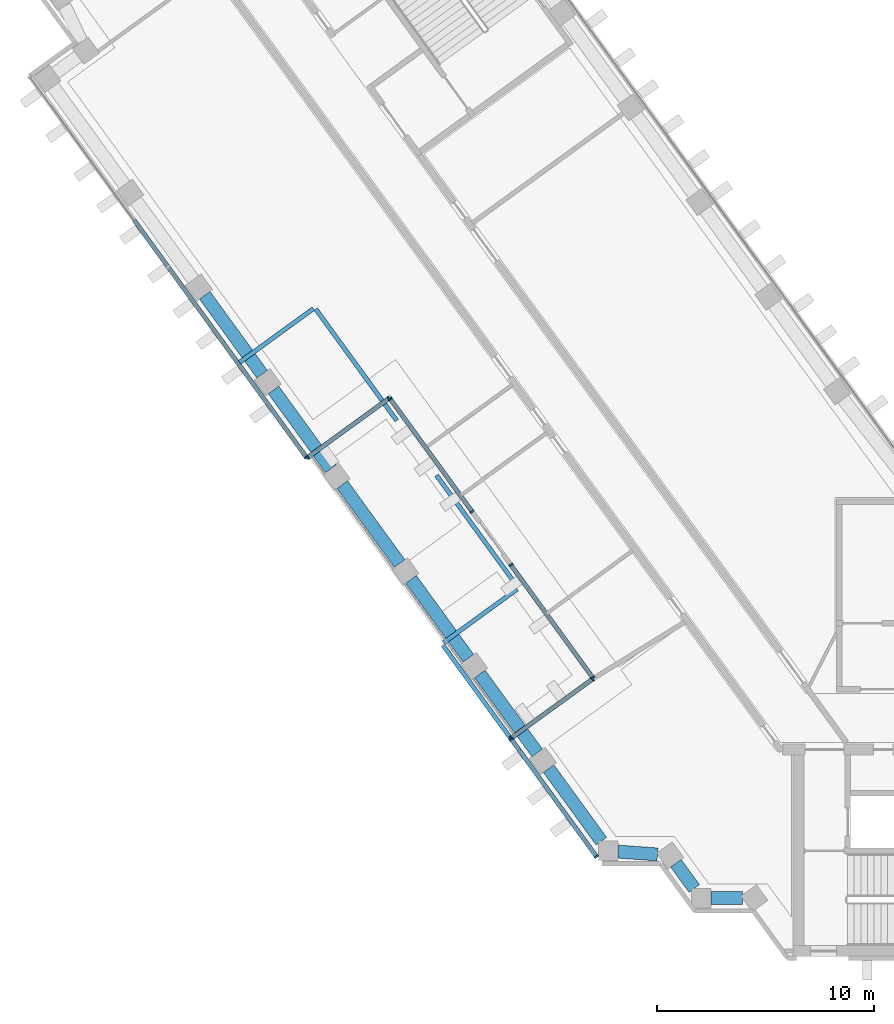
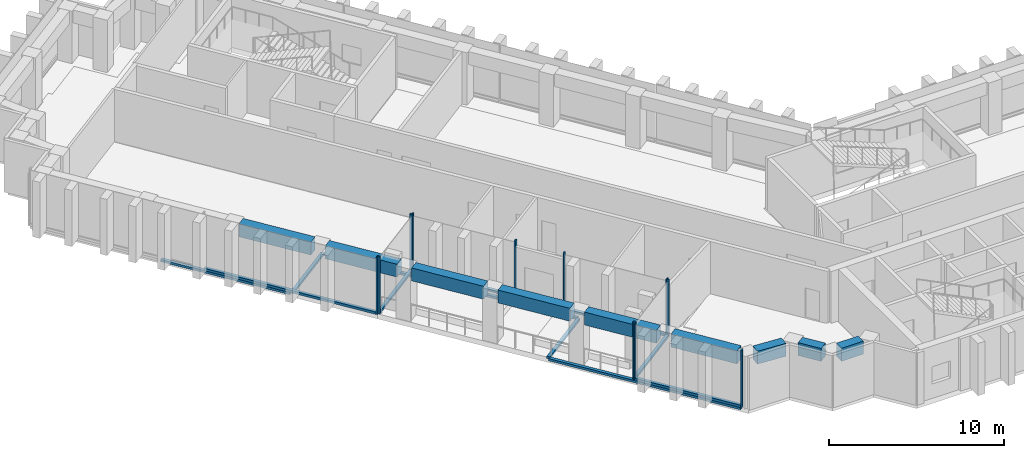
"""IFC4 building model written with IfcOpenShell, lengths in metres."""

from ifc_helpers import new_model, si_unit, direction, frame, origin, origin_2d, place, context, subcontext, project, spatial, rectangle, extrude, material, material_profile, profile_set, type_object, element, aggregate, save


model = new_model("IFC4")

# Units and contexts
model_context = context("Model", 3, precision=1e-05, world=origin(), true_north=direction((0.0, 1.0)))
body_context = subcontext(model_context, "Body", "Model", "MODEL_VIEW")
ifc_project = project(units=[si_unit("LENGTHUNIT", "METRE"), si_unit("AREAUNIT", "SQUARE_METRE"), si_unit("VOLUMEUNIT", "CUBIC_METRE"), si_unit("PLANEANGLEUNIT", "RADIAN"), si_unit("MASSUNIT", "GRAM", prefix="KILO")], contexts=[model_context])

# Site, building, storey
site_placement = place(None, origin())
site = spatial("IfcSite", under=ifc_project, at=site_placement, CompositionType="ELEMENT")
building_placement = place(site_placement, origin())
building = spatial("IfcBuilding", under=site, at=building_placement, Name="Quipu Civic Tower", CompositionType="ELEMENT")
storey_1_placement = place(building_placement, frame((0.0, 0.0, 55.0)))
storey_1 = spatial("IfcBuildingStorey", under=building, at=storey_1_placement, Name="L12", CompositionType="ELEMENT", Elevation=55.0)

# Curtain wall, member
ifc_material_1 = material(Name="Insulated glass unit", Category="glass")
curtain_wall_type = type_object("IfcCurtainWallType", Name="Office curtain wall CW1", PredefinedType="NOTDEFINED", material=ifc_material_1)
curtain_wall_1_placement = place(storey_1_placement, origin())
curtain_wall_1 = element("IfcCurtainWall", 1, at=curtain_wall_1_placement, inside=storey_1, type_object=curtain_wall_type, Name="Office curtain wall CW1 L12 run 1", PredefinedType="NOTDEFINED")
ifc_material_2 = material(Name="Anodised aluminium", Category="aluminium")
ifc_material_profile_1 = material_profile(ifc_material_2, rectangle(XDim=0.199951171875, YDim=0.080078125, at=origin_2d()), Name="RECT 200x80")
ifc_profile_set_1 = profile_set([ifc_material_profile_1], Name="Anodised aluminium")
member_type_1 = type_object("IfcMemberType", Name="Mullion CW1", PredefinedType="MULLION", material=ifc_profile_set_1)
member_1_placement = place(storey_1_placement, frame((-42.4638671875, 12.034423828125, 0.080078125), z_axis=(0.0, 0.0, 1.0), x_axis=(0.809014099643, 0.587789236529, 0.0)))
member_1 = element("IfcMember", 2, at=member_1_placement, type_object=member_type_1, Name="CW1 mullion 3", PredefinedType="MULLION", context=body_context, shape_type="SweptSolid", body=[
    extrude(rectangle(XDim=0.199951171875, YDim=0.080078125, at=origin_2d()), origin(), (0.0, 0.0, 1.0), 4.0),
])

# Curtain wall, members
curtain_wall_2_placement = place(storey_1_placement, origin())
curtain_wall_2 = element("IfcCurtainWall", 3, at=curtain_wall_2_placement, inside=storey_1, type_object=curtain_wall_type, Name="Office curtain wall CW1 L12 run 2", PredefinedType="NOTDEFINED")
member_2_placement = place(storey_1_placement, frame((-42.407958984375, 12.025634765625, 0.080078125), z_axis=(0.0, 0.0, 1.0), x_axis=(-0.587776845983, 0.809023101849, 0.0)))
member_2 = element("IfcMember", 4, at=member_2_placement, type_object=member_type_1, Name="CW1 mullion 1", PredefinedType="MULLION", context=body_context, shape_type="SweptSolid", body=[
    extrude(rectangle(XDim=0.199951171875, YDim=0.080078125, at=origin_2d()), origin(), (0.0, 0.0, 1.0), 4.0),
])
member_3_placement = place(storey_1_placement, frame((-38.65869140625, 14.74951171875, 0.080078125), z_axis=(0.0, 0.0, 1.0), x_axis=(-0.587776845983, 0.809023101849, 0.0)))
member_3 = element("IfcMember", 5, at=member_3_placement, type_object=member_type_1, Name="CW1 mullion 2", PredefinedType="MULLION", context=body_context, shape_type="SweptSolid", body=[
    extrude(rectangle(XDim=0.199951171875, YDim=0.080078125, at=origin_2d()), origin(), (0.0, 0.0, 1.0), 4.0),
])

curtain_wall_3_placement = place(storey_1_placement, origin())
curtain_wall_3 = element("IfcCurtainWall", 6, at=curtain_wall_3_placement, inside=storey_1, type_object=curtain_wall_type, Name="Office curtain wall CW1 L12 run 3", PredefinedType="NOTDEFINED")
member_4_placement = place(storey_1_placement, frame((-38.602783203125, 14.74072265625, 0.080078125), z_axis=(0.0, 0.0, 1.0), x_axis=(0.809018600878, 0.587783041125, 0.0)))
member_4 = element("IfcMember", 7, at=member_4_placement, type_object=member_type_1, Name="CW1 mullion 1", PredefinedType="MULLION", context=body_context, shape_type="SweptSolid", body=[
    extrude(rectangle(XDim=0.199951171875, YDim=0.080078125, at=origin_2d()), origin(), (0.0, 0.0, 1.0), 4.0),
])
member_5_placement = place(storey_1_placement, frame((-34.818603515625, 9.531982421875, 0.080078125), z_axis=(0.0, 0.0, 1.0), x_axis=(0.809018600878, 0.587783041125, 0.0)))
member_5 = element("IfcMember", 8, at=member_5_placement, type_object=member_type_1, Name="CW1 mullion 2", PredefinedType="MULLION", context=body_context, shape_type="SweptSolid", body=[
    extrude(rectangle(XDim=0.199951171875, YDim=0.080078125, at=origin_2d()), origin(), (0.0, 0.0, 1.0), 4.0),
])

curtain_wall_4_placement = place(storey_1_placement, origin())
curtain_wall_4 = element("IfcCurtainWall", 9, at=curtain_wall_4_placement, inside=storey_1, type_object=curtain_wall_type, Name="Office curtain wall CW1 L12 run 5", PredefinedType="NOTDEFINED")
member_6_placement = place(storey_1_placement, frame((-33.02978515625, 7.070068359375, 0.080078125), z_axis=(0.0, 0.0, 1.0), x_axis=(0.809016605967, 0.58778578689, 0.0)))
member_6 = element("IfcMember", 10, at=member_6_placement, type_object=member_type_1, Name="CW1 mullion 1", PredefinedType="MULLION", context=body_context, shape_type="SweptSolid", body=[
    extrude(rectangle(XDim=0.199951171875, YDim=0.080078125, at=origin_2d()), origin(), (0.0, 0.0, 1.0), 4.0),
])
member_7_placement = place(storey_1_placement, frame((-29.245361328125, 1.861083984375, 0.080078125), z_axis=(0.0, 0.0, 1.0), x_axis=(0.809016605967, 0.58778578689, 0.0)))
member_7 = element("IfcMember", 11, at=member_7_placement, type_object=member_type_1, Name="CW1 mullion 2", PredefinedType="MULLION", context=body_context, shape_type="SweptSolid", body=[
    extrude(rectangle(XDim=0.199951171875, YDim=0.080078125, at=origin_2d()), origin(), (0.0, 0.0, 1.0), 4.0),
])

curtain_wall_5_placement = place(storey_1_placement, origin())
curtain_wall_5 = element("IfcCurtainWall", 12, at=curtain_wall_5_placement, inside=storey_1, type_object=curtain_wall_type, Name="Office curtain wall CW1 L12 run 6", PredefinedType="NOTDEFINED")
member_8_placement = place(storey_1_placement, frame((-29.254150390625, 1.80517578125, 0.080078125), z_axis=(0.0, 0.0, 1.0), x_axis=(0.587790729685, -0.809013014788, 0.0)))
member_8 = element("IfcMember", 13, at=member_8_placement, type_object=member_type_1, Name="CW1 mullion 1", PredefinedType="MULLION", context=body_context, shape_type="SweptSolid", body=[
    extrude(rectangle(XDim=0.199951171875, YDim=0.080078125, at=origin_2d()), origin(), (0.0, 0.0, 1.0), 4.0),
])
member_9_placement = place(storey_1_placement, frame((-33.00341796875, -0.918701171875, 0.080078125), z_axis=(0.0, 0.0, 1.0), x_axis=(0.587790729685, -0.809013014788, 0.0)))
member_9 = element("IfcMember", 14, at=member_9_placement, type_object=member_type_1, Name="CW1 mullion 2", PredefinedType="MULLION", context=body_context, shape_type="SweptSolid", body=[
    extrude(rectangle(XDim=0.199951171875, YDim=0.080078125, at=origin_2d()), origin(), (0.0, 0.0, 1.0), 4.0),
])

curtain_wall_6_placement = place(storey_1_placement, origin())
curtain_wall_6 = element("IfcCurtainWall", 15, at=curtain_wall_6_placement, inside=storey_1, type_object=curtain_wall_type, Name="Office curtain wall CW1 L12 run 7", PredefinedType="NOTDEFINED")
member_10_placement = place(storey_1_placement, frame((-33.01220703125, -0.974609375, 0.080078125), z_axis=(0.0, 0.0, 1.0), x_axis=(0.809018912641, 0.587782612017, 0.0)))
member_10 = element("IfcMember", 16, at=member_10_placement, type_object=member_type_1, Name="CW1 mullion 1", PredefinedType="MULLION", context=body_context, shape_type="SweptSolid", body=[
    extrude(rectangle(XDim=0.199951171875, YDim=0.080078125, at=origin_2d()), origin(), (0.0, 0.0, 1.0), 4.0),
])
member_11_placement = place(storey_1_placement, frame((-29.079345703125, -6.3876953125, 0.080078125), z_axis=(0.0, 0.0, 1.0), x_axis=(0.809018912641, 0.587782612017, 0.0)))
member_11 = element("IfcMember", 17, at=member_11_placement, type_object=member_type_1, Name="CW1 mullion 2", PredefinedType="MULLION", context=body_context, shape_type="SweptSolid", body=[
    extrude(rectangle(XDim=0.199951171875, YDim=0.080078125, at=origin_2d()), origin(), (0.0, 0.0, 1.0), 4.0),
])

# Beams
ifc_material_3 = material(Name="Concrete C50/60", Category="concrete")
ifc_material_profile_2 = material_profile(ifc_material_3, rectangle(XDim=0.60009765625, YDim=0.89990234375, at=origin_2d()), Name="RC600x900")
ifc_profile_set_2 = profile_set([ifc_material_profile_2], Name="Concrete C50/60")
beam_type = type_object("IfcBeamType", Name="Spandrel beam RC 600x900 C50/60", PredefinedType="SPANDREL", material=ifc_profile_set_2)
beam_1_placement = place(storey_1_placement, frame((-47.15380859375, 19.5107421875, 3.199951171875), z_axis=(0.587803872688, -0.809003465539, 0.0), x_axis=(0.809003465539, 0.587803872688, 0.0)))
element("IfcBeam", 18, at=beam_1_placement, inside=storey_1, type_object=beam_type, Name="Spandrel beam L12 W-OUT-06 to W-OUT-05", PredefinedType="SPANDREL", context=body_context, shape_type="SweptSolid", body=[
    extrude(rectangle(XDim=0.60009765625, YDim=0.89990234375, at=origin_2d()), origin(), (0.0, 0.0, 1.0), 4.499755859375),
])
for number, where, z_axis, x_axis, name in (
    (19, (-43.97998046875, 15.14208984375, 3.199951171875), (0.587778073121, -0.809022210299, 0.0), (0.809022210299, 0.587778073121, 0.0), "Spandrel beam L12 W-OUT-05 to W-OUT-04"),
    (20, (-40.805908203125, 10.7734375, 3.199951171875), (0.587778073121, -0.809022210299, 0.0), (0.809022210299, 0.587778073121, 0.0), "Spandrel beam L12 W-OUT-04 to W-OUT-03"),
):
    element("IfcBeam", number, at=place(storey_1_placement, frame(where, z_axis=z_axis, x_axis=x_axis)), inside=storey_1, type_object=beam_type, Name=name, PredefinedType="SPANDREL", context=body_context, shape_type="SweptSolid", body=[
        extrude(rectangle(XDim=0.60009765625, YDim=0.89990234375, at=origin_2d()), origin(), (0.0, 0.0, 1.0), 4.5),
    ])
beam_2_placement = place(storey_1_placement, frame((-37.6318359375, 6.404541015625, 3.199951171875), z_axis=(0.587803872688, -0.809003465539, 0.0), x_axis=(0.809003465539, 0.587803872688, 0.0)))
element("IfcBeam", 21, at=beam_2_placement, inside=storey_1, type_object=beam_type, Name="Spandrel beam L12 W-OUT-03 to W-OUT-02", PredefinedType="SPANDREL", context=body_context, shape_type="SweptSolid", body=[
    extrude(rectangle(XDim=0.60009765625, YDim=0.89990234375, at=origin_2d()), origin(), (0.0, 0.0, 1.0), 4.499755859375),
])
beam_3_placement = place(storey_1_placement, frame((-34.457763671875, 2.035888671875, 3.199951171875), z_axis=(0.587778073121, -0.809022210299, 0.0), x_axis=(0.809022210299, 0.587778073121, 0.0)))
element("IfcBeam", 22, at=beam_3_placement, inside=storey_1, type_object=beam_type, Name="Spandrel beam L12 W-OUT-02 to W-OUT-01", PredefinedType="SPANDREL", context=body_context, shape_type="SweptSolid", body=[
    extrude(rectangle(XDim=0.60009765625, YDim=0.89990234375, at=origin_2d()), origin(), (0.0, 0.0, 1.0), 4.5),
])
beam_4_placement = place(storey_1_placement, frame((-31.28369140625, -2.332763671875, 3.199951171875), z_axis=(0.587750565781, -0.809042194464, 0.0), x_axis=(0.809042194464, 0.587750565781, 0.0)))
element("IfcBeam", 23, at=beam_4_placement, inside=storey_1, type_object=beam_type, Name="Spandrel beam L12 W-OUT-01 to J-Wo.0", PredefinedType="SPANDREL", context=body_context, shape_type="SweptSolid", body=[
    extrude(rectangle(XDim=0.60009765625, YDim=0.89990234375, at=origin_2d()), origin(), (0.0, 0.0, 1.0), 4.13720703125),
])
beam_5_placement = place(storey_1_placement, frame((-28.074951171875, -6.16259765625, 3.199951171875), z_axis=(0.997367229877, -0.072516265536, 0.0), x_axis=(0.072516265536, 0.997367229877, 0.0)))
element("IfcBeam", 24, at=beam_5_placement, inside=storey_1, type_object=beam_type, Name="Spandrel beam L12 J-Wo.0 to J-Wo.1", PredefinedType="SPANDREL", context=body_context, shape_type="SweptSolid", body=[
    extrude(rectangle(XDim=0.60009765625, YDim=0.89990234375, at=origin_2d()), origin(), (0.0, 0.0, 1.0), 1.818115234375),
])
beam_6_placement = place(storey_1_placement, frame((-25.40966796875, -6.700927734375, 3.199951171875), z_axis=(0.588433824377, -0.808545381738, 0.0), x_axis=(0.808545381738, 0.588433824377, 0.0)))
element("IfcBeam", 25, at=beam_6_placement, inside=storey_1, type_object=beam_type, Name="Spandrel beam L12 J-Wo.1 to J-Wo.2", PredefinedType="SPANDREL", context=body_context, shape_type="SweptSolid", body=[
    extrude(rectangle(XDim=0.60009765625, YDim=0.89990234375, at=origin_2d()), origin(), (0.0, 0.0, 1.0), 1.439697265625),
])
beam_7_placement = place(storey_1_placement, frame((-23.784912109375, -8.31494140625, 3.199951171875), z_axis=(1.0, 0.0, 0.0), x_axis=(0.0, 1.0, 0.0)))
element("IfcBeam", 26, at=beam_7_placement, inside=storey_1, type_object=beam_type, Name="Spandrel beam L12 J-Wo.2 to J-Wo.3", PredefinedType="SPANDREL", context=body_context, shape_type="SweptSolid", body=[
    extrude(rectangle(XDim=0.60009765625, YDim=0.89990234375, at=origin_2d()), origin(), (0.0, 0.0, 1.0), 1.436767578125),
])

# Storey
storey_2_placement = place(building_placement, frame((0.0, 0.0, 51.0)))
storey_2 = spatial("IfcBuildingStorey", under=building, at=storey_2_placement, Name="L11", CompositionType="ELEMENT", Elevation=51.0)

# Curtain wall, member
curtain_wall_7_placement = place(storey_2_placement, origin())
curtain_wall_7 = element("IfcCurtainWall", 27, at=curtain_wall_7_placement, inside=storey_2, type_object=curtain_wall_type, Name="Office curtain wall CW1 L11 run 1", PredefinedType="NOTDEFINED")
ifc_material_4 = material(Name="Anodised aluminium", Category="aluminium")
ifc_material_profile_3 = material_profile(ifc_material_4, rectangle(XDim=0.199951171875, YDim=0.159912109375, at=origin_2d()), Name="RECT 200x160")
ifc_profile_set_3 = profile_set([ifc_material_profile_3], Name="Anodised aluminium")
member_type_2 = type_object("IfcMemberType", Name="Transom CW1", PredefinedType="USERDEFINED", material=ifc_profile_set_3)
member_12_placement = place(storey_1_placement, frame((-50.41064453125, 22.97216796875, 0.0), z_axis=(0.587781767955, -0.809019525883, 0.0), x_axis=(0.809019525883, 0.587781767955, 0.0)))
member_12 = element("IfcMember", 28, at=member_12_placement, inside=storey_1, type_object=member_type_2, Name="CW1 transom 2.2", ObjectType="TRANSOM", PredefinedType="USERDEFINED", context=body_context, shape_type="SweptSolid", body=[
    extrude(rectangle(XDim=0.199951171875, YDim=0.159912109375, at=origin_2d()), origin(), (0.0, 0.0, 1.0), 8.080078125),
])
aggregate(curtain_wall_7, [member_12])

curtain_wall_8_placement = place(storey_2_placement, origin())
curtain_wall_8 = element("IfcCurtainWall", 29, at=curtain_wall_8_placement, inside=storey_2, type_object=curtain_wall_type, Name="Office curtain wall CW1 L11 run 2", PredefinedType="NOTDEFINED")
member_13_placement = place(storey_1_placement, frame((-45.549560546875, 16.417724609375, 0.0), z_axis=(0.809014264553, 0.587789009552, 0.0), x_axis=(-0.587789009552, 0.809014264553, 0.0)))
member_13 = element("IfcMember", 30, at=member_13_placement, inside=storey_1, type_object=member_type_2, Name="CW1 transom 1.2", ObjectType="TRANSOM", PredefinedType="USERDEFINED", context=body_context, shape_type="SweptSolid", body=[
    extrude(rectangle(XDim=0.199951171875, YDim=0.159912109375, at=origin_2d()), origin(), (0.0, 0.0, 1.0), 4.211181640625),
])
aggregate(curtain_wall_8, [member_13])

curtain_wall_9_placement = place(storey_2_placement, origin())
curtain_wall_9 = element("IfcCurtainWall", 31, at=curtain_wall_9_placement, inside=storey_2, type_object=curtain_wall_type, Name="Office curtain wall CW1 L11 run 3", PredefinedType="NOTDEFINED")
member_14_placement = place(storey_1_placement, frame((-42.03076171875, 18.87548828125, 0.0), z_axis=(0.587797201853, -0.809008312376, 0.0), x_axis=(0.809008312376, 0.587797201853, 0.0)))
member_14 = element("IfcMember", 32, at=member_14_placement, inside=storey_1, type_object=member_type_2, Name="CW1 transom 1.2", ObjectType="TRANSOM", PredefinedType="USERDEFINED", context=body_context, shape_type="SweptSolid", body=[
    extrude(rectangle(XDim=0.199951171875, YDim=0.159912109375, at=origin_2d()), origin(), (0.0, 0.0, 1.0), 6.358154296875),
])
aggregate(curtain_wall_9, [member_14])

curtain_wall_10_placement = place(storey_2_placement, origin())
curtain_wall_10 = element("IfcCurtainWall", 33, at=curtain_wall_10_placement, inside=storey_2, type_object=curtain_wall_type, Name="Office curtain wall CW1 L11 run 5", PredefinedType="NOTDEFINED")
member_15_placement = place(storey_1_placement, frame((-36.4580078125, 11.205078125, 0.0), z_axis=(0.587792686492, -0.809011593061, 0.0), x_axis=(0.809011593061, 0.587792686492, 0.0)))
member_15 = element("IfcMember", 34, at=member_15_placement, inside=storey_1, type_object=member_type_2, Name="CW1 transom 1.2", ObjectType="TRANSOM", PredefinedType="USERDEFINED", context=body_context, shape_type="SweptSolid", body=[
    extrude(rectangle(XDim=0.199951171875, YDim=0.159912109375, at=origin_2d()), origin(), (0.0, 0.0, 1.0), 6.359130859375),
])
aggregate(curtain_wall_10, [member_15])

curtain_wall_11_placement = place(storey_2_placement, origin())
curtain_wall_11 = element("IfcCurtainWall", 35, at=curtain_wall_11_placement, inside=storey_2, type_object=curtain_wall_type, Name="Office curtain wall CW1 L11 run 6", PredefinedType="NOTDEFINED")
member_16_placement = place(storey_1_placement, frame((-32.738037109375, 5.948974609375, 0.0), z_axis=(-0.809034292605, -0.587761442585, 0.0), x_axis=(0.587761442585, -0.809034292605, 0.0)))
member_16 = element("IfcMember", 36, at=member_16_placement, inside=storey_1, type_object=member_type_2, Name="CW1 transom 1.2", ObjectType="TRANSOM", PredefinedType="USERDEFINED", context=body_context, shape_type="SweptSolid", body=[
    extrude(rectangle(XDim=0.199951171875, YDim=0.159912109375, at=origin_2d()), origin(), (0.0, 0.0, 1.0), 4.21142578125),
])
aggregate(curtain_wall_11, [member_16])

# Curtain wall, members
curtain_wall_12_placement = place(storey_2_placement, origin())
curtain_wall_12 = element("IfcCurtainWall", 37, at=curtain_wall_12_placement, inside=storey_2, type_object=curtain_wall_type, Name="Office curtain wall CW1 L11 run 7", PredefinedType="NOTDEFINED")
member_17_placement = place(storey_1_placement, frame((-36.162841796875, 3.36181640625, 0.0), z_axis=(0.587777412076, -0.809022690567, 0.0), x_axis=(0.809022690567, 0.587777412076, 0.0)))
member_17 = element("IfcMember", 38, at=member_17_placement, inside=storey_1, type_object=member_type_2, Name="CW1 transom 1.2", ObjectType="TRANSOM", PredefinedType="USERDEFINED", context=body_context, shape_type="SweptSolid", body=[
    extrude(rectangle(XDim=0.199951171875, YDim=0.159912109375, at=origin_2d()), origin(), (0.0, 0.0, 1.0), 5.96533203125),
])
member_18_placement = place(storey_1_placement, frame((-32.609375, -1.529052734375, 0.0), z_axis=(0.587757951263, -0.80903682903, 0.0), x_axis=(0.80903682903, 0.587757951263, 0.0)))
member_18 = element("IfcMember", 39, at=member_18_placement, inside=storey_1, type_object=member_type_2, Name="CW1 transom 2.2", ObjectType="TRANSOM", PredefinedType="USERDEFINED", context=body_context, shape_type="SweptSolid", body=[
    extrude(rectangle(XDim=0.199951171875, YDim=0.159912109375, at=origin_2d()), origin(), (0.0, 0.0, 1.0), 5.965576171875),
])
aggregate(curtain_wall_12, [member_17, member_18])

# Member
member_19_placement = place(storey_1_placement, frame((-48.82373046875, 20.7880859375, 0.159912109375), z_axis=(0.587791890205, -0.809012171608, 0.0), x_axis=(0.809012171608, 0.587791890205, 0.0)))
member_19 = element("IfcMember", 40, at=member_19_placement, type_object=member_type_2, Name="CW1 transom 2.1", ObjectType="TRANSOM", PredefinedType="USERDEFINED", context=body_context, shape_type="SweptSolid", body=[
    extrude(rectangle(XDim=0.199951171875, YDim=0.159912109375, at=origin_2d()), origin(), (0.0, 0.0, 1.0), 10.780029296875),
])

aggregate(curtain_wall_1, [member_1, member_19])

member_20_placement = place(storey_1_placement, frame((-42.37548828125, 12.049072265625, 0.159912109375), z_axis=(0.808997958743, 0.587811451701, 0.0), x_axis=(-0.587811451701, 0.808997958743, 0.0)))
member_20 = element("IfcMember", 41, at=member_20_placement, type_object=member_type_2, Name="CW1 transom 1.1", ObjectType="TRANSOM", PredefinedType="USERDEFINED", context=body_context, shape_type="SweptSolid", body=[
    extrude(rectangle(XDim=0.199951171875, YDim=0.159912109375, at=origin_2d()), origin(), (0.0, 0.0, 1.0), 4.55419921875),
])

aggregate(curtain_wall_2, [member_2, member_3, member_20])

member_21_placement = place(storey_1_placement, frame((-38.579345703125, 14.708251953125, 0.159912109375), z_axis=(0.587778942742, -0.809021578494, 0.0), x_axis=(0.809021578494, 0.587778942742, 0.0)))
member_21 = element("IfcMember", 42, at=member_21_placement, type_object=member_type_2, Name="CW1 transom 1.1", ObjectType="TRANSOM", PredefinedType="USERDEFINED", context=body_context, shape_type="SweptSolid", body=[
    extrude(rectangle(XDim=0.199951171875, YDim=0.159912109375, at=origin_2d()), origin(), (0.0, 0.0, 1.0), 6.3583984375),
])

aggregate(curtain_wall_3, [member_4, member_5, member_21])

member_22_placement = place(storey_1_placement, frame((-33.00634765625, 7.03759765625, 0.159912109375), z_axis=(0.587778942742, -0.809021578494, 0.0), x_axis=(0.809021578494, 0.587778942742, 0.0)))
member_22 = element("IfcMember", 43, at=member_22_placement, type_object=member_type_2, Name="CW1 transom 1.1", ObjectType="TRANSOM", PredefinedType="USERDEFINED", context=body_context, shape_type="SweptSolid", body=[
    extrude(rectangle(XDim=0.199951171875, YDim=0.159912109375, at=origin_2d()), origin(), (0.0, 0.0, 1.0), 6.3583984375),
])

aggregate(curtain_wall_4, [member_6, member_7, member_22])

member_23_placement = place(storey_1_placement, frame((-29.28662109375, 1.78173828125, 0.159912109375), z_axis=(-0.809016480289, -0.587785959871, 0.0), x_axis=(0.587785959871, -0.809016480289, 0.0)))
member_23 = element("IfcMember", 44, at=member_23_placement, type_object=member_type_2, Name="CW1 transom 1.1", ObjectType="TRANSOM", PredefinedType="USERDEFINED", context=body_context, shape_type="SweptSolid", body=[
    extrude(rectangle(XDim=0.199951171875, YDim=0.159912109375, at=origin_2d()), origin(), (0.0, 0.0, 1.0), 4.554443359375),
])

aggregate(curtain_wall_5, [member_8, member_9, member_23])

member_24_placement = place(storey_1_placement, frame((-32.98876953125, -1.0068359375, 0.159912109375), z_axis=(0.587758816929, -0.809036200131, 0.0), x_axis=(0.809036200131, 0.587758816929, 0.0)))
member_24 = element("IfcMember", 45, at=member_24_placement, type_object=member_type_2, Name="CW1 transom 1.1", ObjectType="TRANSOM", PredefinedType="USERDEFINED", context=body_context, shape_type="SweptSolid", body=[
    extrude(rectangle(XDim=0.199951171875, YDim=0.159912109375, at=origin_2d()), origin(), (0.0, 0.0, 1.0), 6.611083984375),
])

aggregate(curtain_wall_6, [member_10, member_11, member_24])

save(model, "model.ifc")
